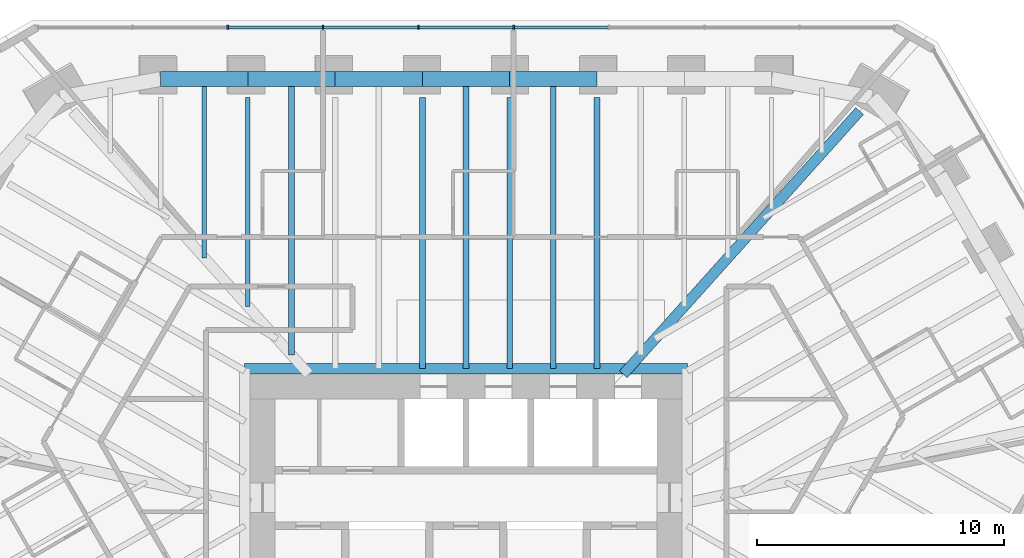
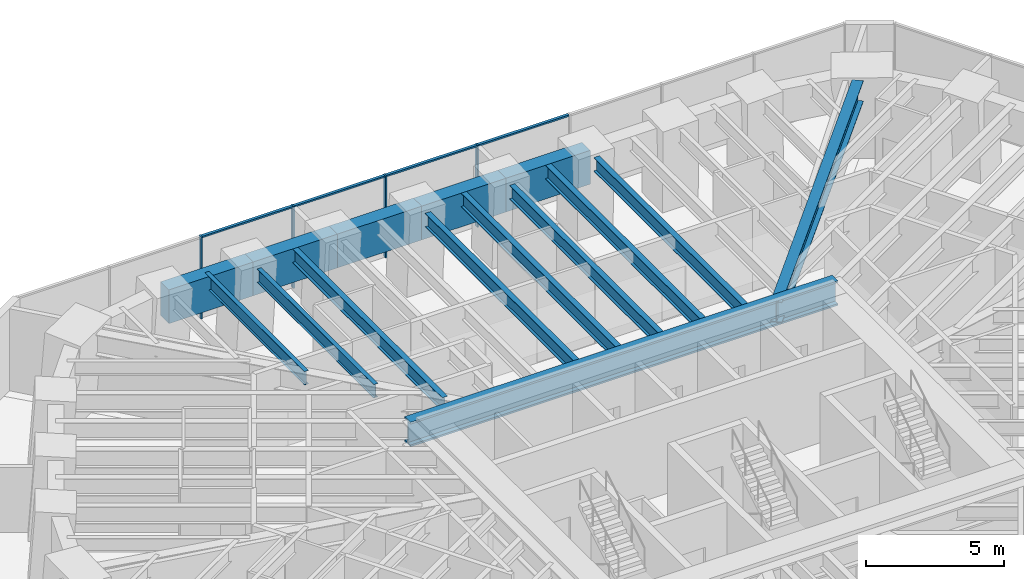
# One storey, part 8 of 16: 15 beams, 8 members, 1 element without a shape of its own.
"""IFC4 building model written with IfcOpenShell, lengths in metres."""

from ifc_helpers import new_model, si_unit, direction, frame, origin, origin_2d, place, context, subcontext, project, spatial, rectangle, i_section, extrude, material, material_profile, profile_set, type_object, element, aggregate, save


model = new_model("IFC4")

# Units and contexts
model_context = context("Model", 3, precision=1e-05, world=origin(), true_north=direction((0.0, 1.0)))
body_context = subcontext(model_context, "Body", "Model", "MODEL_VIEW")
ifc_project = project(units=[si_unit("LENGTHUNIT", "METRE"), si_unit("AREAUNIT", "SQUARE_METRE"), si_unit("VOLUMEUNIT", "CUBIC_METRE"), si_unit("PLANEANGLEUNIT", "RADIAN"), si_unit("MASSUNIT", "GRAM", prefix="KILO")], contexts=[model_context])

# Site, building, storey
site_placement = place(None, origin())
site = spatial("IfcSite", under=ifc_project, at=site_placement, CompositionType="ELEMENT")
building_placement = place(site_placement, origin())
building = spatial("IfcBuilding", under=site, at=building_placement, Name="Sandreach Pilgrim Tower", CompositionType="ELEMENT")
storey_placement = place(building_placement, frame((0.0, 0.0, 244.0)))
storey = spatial("IfcBuildingStorey", under=building, at=storey_placement, Name="L61", CompositionType="ELEMENT", Elevation=244.0)

# Curtain wall, members
ifc_material_1 = material(Name="Aluminium framed curtain wall", Category="aluminium")
curtain_wall_type = type_object("IfcCurtainWallType", Name="Upper hotel tower curtain wall", PredefinedType="NOTDEFINED", material=ifc_material_1)
curtain_wall_placement = place(storey_placement, origin())
curtain_wall = element("IfcCurtainWall", 1, at=curtain_wall_placement, inside=storey, type_object=curtain_wall_type, Name="CW-3 L61 N", PredefinedType="NOTDEFINED")
ifc_material_2 = material(Name="Aluminium extrusion", Category="aluminium")
ifc_material_profile_1 = material_profile(ifc_material_2, rectangle(XDim=0.06494140625, YDim=0.159912109375, at=origin_2d()), Name="CW-3M 65X160")
ifc_profile_set_1 = profile_set([ifc_material_profile_1], Name="Aluminium extrusion")
member_type_1 = type_object("IfcMemberType", Name="CW-3 mullion", PredefinedType="MULLION", material=ifc_profile_set_1)
member_1_placement = place(storey_placement, frame((-9.6611328125, 21.16015625, 0.0), z_axis=(0.0, 0.0, 1.0), x_axis=(1.0, 0.0, 0.0)))
member_1 = element("IfcMember", 2, at=member_1_placement, type_object=member_type_1, Name="CW-3 mullion 3", PredefinedType="MULLION", context=body_context, shape_type="SweptSolid", body=[
    extrude(rectangle(XDim=0.06494140625, YDim=0.159912109375, at=origin_2d()), origin(), (0.0, 0.0, 1.0), 3.639892578125),
])
member_2_placement = place(storey_placement, frame((-5.796630859375, 21.16015625, 0.0), z_axis=(0.0, 0.0, 1.0), x_axis=(1.0, 0.0, 0.0)))
member_2 = element("IfcMember", 3, at=member_2_placement, type_object=member_type_1, Name="CW-3 mullion 4", PredefinedType="MULLION", context=body_context, shape_type="SweptSolid", body=[
    extrude(rectangle(XDim=0.06494140625, YDim=0.159912109375, at=origin_2d()), origin(), (0.0, 0.0, 1.0), 3.639892578125),
])
member_3_placement = place(storey_placement, frame((-1.93212890625, 21.16015625, 0.0), z_axis=(0.0, 0.0, 1.0), x_axis=(1.0, 0.0, 0.0)))
member_3 = element("IfcMember", 4, at=member_3_placement, type_object=member_type_1, Name="CW-3 mullion 5", PredefinedType="MULLION", context=body_context, shape_type="SweptSolid", body=[
    extrude(rectangle(XDim=0.06494140625, YDim=0.159912109375, at=origin_2d()), origin(), (0.0, 0.0, 1.0), 3.639892578125),
])
member_4_placement = place(storey_placement, frame((1.93212890625, 21.16015625, 0.0), z_axis=(0.0, 0.0, 1.0), x_axis=(1.0, 0.0, 0.0)))
member_4 = element("IfcMember", 5, at=member_4_placement, type_object=member_type_1, Name="CW-3 mullion 6", PredefinedType="MULLION", context=body_context, shape_type="SweptSolid", body=[
    extrude(rectangle(XDim=0.06494140625, YDim=0.159912109375, at=origin_2d()), origin(), (0.0, 0.0, 1.0), 3.639892578125),
])
ifc_material_3 = material(Name="Aluminium extrusion", Category="aluminium")
ifc_material_profile_2 = material_profile(ifc_material_3, rectangle(XDim=0.1201171875, YDim=0.070068359375, at=origin_2d()), Name="CW-3T 120X70")
ifc_profile_set_2 = profile_set([ifc_material_profile_2], Name="Aluminium extrusion")
member_type_2 = type_object("IfcMemberType", Name="CW-3 transom", PredefinedType="USERDEFINED", material=ifc_profile_set_2)
member_5_placement = place(storey_placement, frame((-9.628662109375, 21.16015625, 3.60498046875), z_axis=(1.0, 0.0, 0.0), x_axis=(0.0, 1.0, 0.0)))
member_5 = element("IfcMember", 6, at=member_5_placement, type_object=member_type_2, Name="CW-3 head transom 3", ObjectType="TRANSOM", PredefinedType="USERDEFINED", context=body_context, shape_type="SweptSolid", body=[
    extrude(rectangle(XDim=0.1201171875, YDim=0.070068359375, at=origin_2d()), origin(), (0.0, 0.0, 1.0), 3.799560546875),
])
member_6_placement = place(storey_placement, frame((-5.76416015625, 21.16015625, 3.60498046875), z_axis=(1.0, 0.0, 0.0), x_axis=(0.0, 1.0, 0.0)))
member_6 = element("IfcMember", 7, at=member_6_placement, type_object=member_type_2, Name="CW-3 head transom 4", ObjectType="TRANSOM", PredefinedType="USERDEFINED", context=body_context, shape_type="SweptSolid", body=[
    extrude(rectangle(XDim=0.1201171875, YDim=0.070068359375, at=origin_2d()), origin(), (0.0, 0.0, 1.0), 3.799560546875),
])
member_7_placement = place(storey_placement, frame((-1.899658203125, 21.16015625, 3.60498046875), z_axis=(1.0, 0.0, 0.0), x_axis=(0.0, 1.0, 0.0)))
member_7 = element("IfcMember", 8, at=member_7_placement, type_object=member_type_2, Name="CW-3 head transom 5", ObjectType="TRANSOM", PredefinedType="USERDEFINED", context=body_context, shape_type="SweptSolid", body=[
    extrude(rectangle(XDim=0.1201171875, YDim=0.070068359375, at=origin_2d()), origin(), (0.0, 0.0, 1.0), 3.79931640625),
])
member_8_placement = place(storey_placement, frame((1.964599609375, 21.16015625, 3.60498046875), z_axis=(1.0, 0.0, 0.0), x_axis=(0.0, 1.0, 0.0)))
member_8 = element("IfcMember", 9, at=member_8_placement, type_object=member_type_2, Name="CW-3 head transom 6", ObjectType="TRANSOM", PredefinedType="USERDEFINED", context=body_context, shape_type="SweptSolid", body=[
    extrude(rectangle(XDim=0.1201171875, YDim=0.070068359375, at=origin_2d()), origin(), (0.0, 0.0, 1.0), 3.799560546875),
])
aggregate(curtain_wall, [member_1, member_2, member_3, member_4, member_5, member_6, member_7, member_8])

# Beams
ifc_material_4 = material(Name="Steel ASTM A992 Grade 50", Category="steel")
ifc_material_profile_3 = material_profile(ifc_material_4, i_section(OverallWidth=0.424072265625, OverallDepth=1.09228515625, WebThickness=0.04541015625, FlangeThickness=0.08203125, at=origin_2d()), Name="W40X593")
ifc_profile_set_3 = profile_set([ifc_material_profile_3], Name="Steel ASTM A992 Grade 50")
beam_type_1 = type_object("IfcBeamType", Name="Core edge beam W40X593", PredefinedType="BEAM", material=ifc_profile_set_3)
beam_1_placement = place(storey_placement, frame((-8.97216796875, 7.322021484375, 3.093994140625), z_axis=(1.0, 0.0, 0.0), x_axis=(0.0, 1.0, 0.0)))
element("IfcBeam", 10, at=beam_1_placement, inside=storey, type_object=beam_type_1, Name="BM L61 CEN", PredefinedType="BEAM", context=body_context, shape_type="SweptSolid", body=[
    extrude(i_section(OverallWidth=0.424072265625, OverallDepth=1.09228515625, WebThickness=0.04541015625, FlangeThickness=0.08203125, at=origin_2d()), origin(), (0.0, 0.0, 1.0), 17.9443359375),
])
ifc_material_5 = material(Name="Steel ASTM A992 Grade 50", Category="steel")
ifc_material_profile_4 = material_profile(ifc_material_5, i_section(OverallWidth=0.419189453125, OverallDepth=0.927001953125, WebThickness=0.019287109375, FlangeThickness=0.031982421875, at=origin_2d()), Name="W36X231")
ifc_profile_set_4 = profile_set([ifc_material_profile_4], Name="Steel ASTM A992 Grade 50")
beam_type_2 = type_object("IfcBeamType", Name="Corner girder W36X231", PredefinedType="BEAM", material=ifc_profile_set_4)
beam_2_placement = place(storey_placement, frame((15.95361328125, 17.766845703125, 3.176513671875), z_axis=(-0.668118446956, -0.74405493133, 0.0), x_axis=(0.74405493133, -0.668118446956, 0.0)))
element("IfcBeam", 11, at=beam_2_placement, inside=storey, type_object=beam_type_2, Name="BM L61 CG09", PredefinedType="BEAM", context=body_context, shape_type="SweptSolid", body=[
    extrude(i_section(OverallWidth=0.419189453125, OverallDepth=0.927001953125, WebThickness=0.019287109375, FlangeThickness=0.031982421875, at=origin_2d()), origin(), (0.0, 0.0, 1.0), 14.3359375),
])
ifc_material_6 = material(Name="Steel ASTM A992 Grade 50", Category="steel")
ifc_material_profile_5 = material_profile(ifc_material_6, i_section(OverallWidth=0.1787109375, OverallDepth=0.60205078125, WebThickness=0.010986328125, FlangeThickness=0.014892578125, at=origin_2d()), Name="W24X62")
ifc_profile_set_5 = profile_set([ifc_material_profile_5], Name="Steel ASTM A992 Grade 50")
beam_type_3 = type_object("IfcBeamType", Name="Floor beam W24X62", PredefinedType="BEAM", material=ifc_profile_set_5)
beam_3_placement = place(storey_placement, frame((-8.845947265625, 18.3193359375, 3.339111328125), z_axis=(0.0, -1.0, 0.0), x_axis=(1.0, 0.0, 0.0)))
element("IfcBeam", 12, at=beam_3_placement, inside=storey, type_object=beam_type_3, Name="BM L61 F02", PredefinedType="BEAM", context=body_context, shape_type="SweptSolid", body=[
    extrude(i_section(OverallWidth=0.1787109375, OverallDepth=0.60205078125, WebThickness=0.010986328125, FlangeThickness=0.014892578125, at=origin_2d()), origin(), (0.0, 0.0, 1.0), 8.468017578125),
])
beam_4_placement = place(storey_placement, frame((-10.614990234375, 19.0693359375, 3.339111328125), z_axis=(0.0, -1.0, 0.0), x_axis=(1.0, 0.0, 0.0)))
element("IfcBeam", 13, at=beam_4_placement, inside=storey, type_object=beam_type_3, Name="BM L61 FM01", PredefinedType="BEAM", context=body_context, shape_type="SweptSolid", body=[
    extrude(i_section(OverallWidth=0.1787109375, OverallDepth=0.60205078125, WebThickness=0.010986328125, FlangeThickness=0.014892578125, at=origin_2d()), origin(), (0.0, 0.0, 1.0), 7.247802734375),
])
ifc_material_7 = material(Name="Steel ASTM A992 Grade 50", Category="steel")
ifc_material_profile_6 = material_profile(ifc_material_7, i_section(OverallWidth=0.23046875, OverallDepth=0.6171875, WebThickness=0.01318359375, FlangeThickness=0.022216796875, at=origin_2d()), Name="W24X94")
ifc_profile_set_6 = profile_set([ifc_material_profile_6], Name="Steel ASTM A992 Grade 50")
beam_type_4 = type_object("IfcBeamType", Name="Floor beam W24X94", PredefinedType="BEAM", material=ifc_profile_set_6)
for number, where, z_axis, x_axis, name in (
    (14, (-1.769287109375, 18.3193359375, 3.331298828125), (0.0, -1.0, 0.0), (1.0, 0.0, 0.0), "BM L61 F04"),
    (15, (1.769287109375, 18.3193359375, 3.331298828125), (0.0, -1.0, 0.0), (1.0, 0.0, 0.0), "BM L61 F05"),
    (16, (5.3076171875, 18.3193359375, 3.331298828125), (0.0, -1.0, 0.0), (1.0, 0.0, 0.0), "BM L61 F06"),
):
    element("IfcBeam", number, at=place(storey_placement, frame(where, z_axis=z_axis, x_axis=x_axis)), inside=storey, type_object=beam_type_4, Name=name, PredefinedType="BEAM", context=body_context, shape_type="SweptSolid", body=[
        extrude(i_section(OverallWidth=0.23046875, OverallDepth=0.6171875, WebThickness=0.01318359375, FlangeThickness=0.022216796875, at=origin_2d()), origin(), (0.0, 0.0, 1.0), 10.997314453125),
    ])
beam_5_placement = place(storey_placement, frame((-7.07666015625, 19.0693359375, 3.331298828125), z_axis=(0.0, -1.0, 0.0), x_axis=(1.0, 0.0, 0.0)))
element("IfcBeam", 17, at=beam_5_placement, inside=storey, type_object=beam_type_4, Name="BM L61 FM02", PredefinedType="BEAM", context=body_context, shape_type="SweptSolid", body=[
    extrude(i_section(OverallWidth=0.23046875, OverallDepth=0.6171875, WebThickness=0.01318359375, FlangeThickness=0.022216796875, at=origin_2d()), origin(), (0.0, 0.0, 1.0), 11.188232421875),
])
for number, where, z_axis, x_axis, name in (
    (18, (0.0, 19.0693359375, 3.331298828125), (0.0, -1.0, 0.0), (1.0, 0.0, 0.0), "BM L61 FM04"),
    (19, (3.538330078125, 19.0693359375, 3.331298828125), (0.0, -1.0, 0.0), (1.0, 0.0, 0.0), "BM L61 FM05"),
):
    element("IfcBeam", number, at=place(storey_placement, frame(where, z_axis=z_axis, x_axis=x_axis)), inside=storey, type_object=beam_type_4, Name=name, PredefinedType="BEAM", context=body_context, shape_type="SweptSolid", body=[
        extrude(i_section(OverallWidth=0.23046875, OverallDepth=0.6171875, WebThickness=0.01318359375, FlangeThickness=0.022216796875, at=origin_2d()), origin(), (0.0, 0.0, 1.0), 11.747314453125),
    ])
ifc_material_8 = material(Name="Concrete 10000 psi", Category="concrete")
ifc_material_profile_7 = material_profile(ifc_material_8, rectangle(XDim=0.60009765625, YDim=1.5, at=origin_2d()), Name="RC600X1500")
ifc_profile_set_7 = profile_set([ifc_material_profile_7], Name="Concrete 10000 psi")
beam_type_5 = type_object("IfcBeamType", Name="Spandrel beam RC600X1500", PredefinedType="SPANDREL", material=ifc_profile_set_7)
for number, where, z_axis, x_axis, name in (
    (20, (-12.38427734375, 19.0693359375, 2.889892578125), (1.0, 0.0, 0.0), (0.0, 1.0, 0.0), "BM L61 SP01"),
    (21, (-8.845947265625, 19.0693359375, 2.889892578125), (1.0, 0.0, 0.0), (0.0, 1.0, 0.0), "BM L61 SP02"),
    (22, (-5.3076171875, 19.0693359375, 2.889892578125), (1.0, 0.0, 0.0), (0.0, 1.0, 0.0), "BM L61 SP03"),
):
    element("IfcBeam", number, at=place(storey_placement, frame(where, z_axis=z_axis, x_axis=x_axis)), inside=storey, type_object=beam_type_5, Name=name, PredefinedType="SPANDREL", context=body_context, shape_type="SweptSolid", body=[
        extrude(rectangle(XDim=0.60009765625, YDim=1.5, at=origin_2d()), origin(), (0.0, 0.0, 1.0), 3.538330078125),
    ])
beam_6_placement = place(storey_placement, frame((-1.769287109375, 19.0693359375, 2.889892578125), z_axis=(1.0, 0.0, 0.0), x_axis=(0.0, 1.0, 0.0)))
element("IfcBeam", 23, at=beam_6_placement, inside=storey, type_object=beam_type_5, Name="BM L61 SP04", PredefinedType="SPANDREL", context=body_context, shape_type="SweptSolid", body=[
    extrude(rectangle(XDim=0.60009765625, YDim=1.5, at=origin_2d()), origin(), (0.0, 0.0, 1.0), 3.53857421875),
])
beam_7_placement = place(storey_placement, frame((1.769287109375, 19.0693359375, 2.889892578125), z_axis=(1.0, 0.0, 0.0), x_axis=(0.0, 1.0, 0.0)))
element("IfcBeam", 24, at=beam_7_placement, inside=storey, type_object=beam_type_5, Name="BM L61 SP05", PredefinedType="SPANDREL", context=body_context, shape_type="SweptSolid", body=[
    extrude(rectangle(XDim=0.60009765625, YDim=1.5, at=origin_2d()), origin(), (0.0, 0.0, 1.0), 3.538330078125),
])

save(model, "model.ifc")
